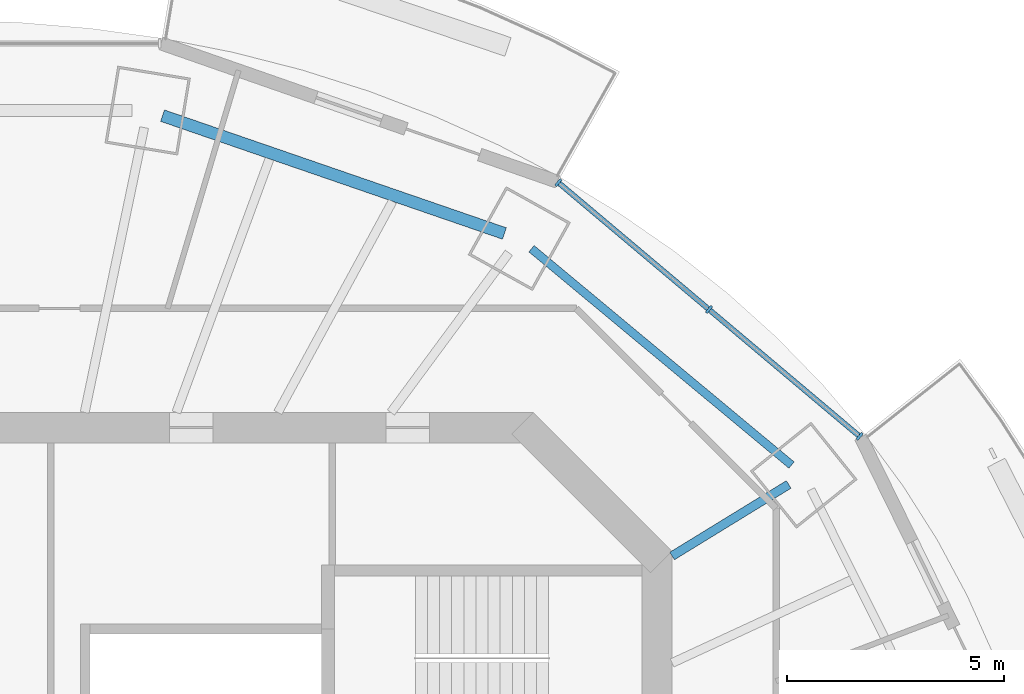
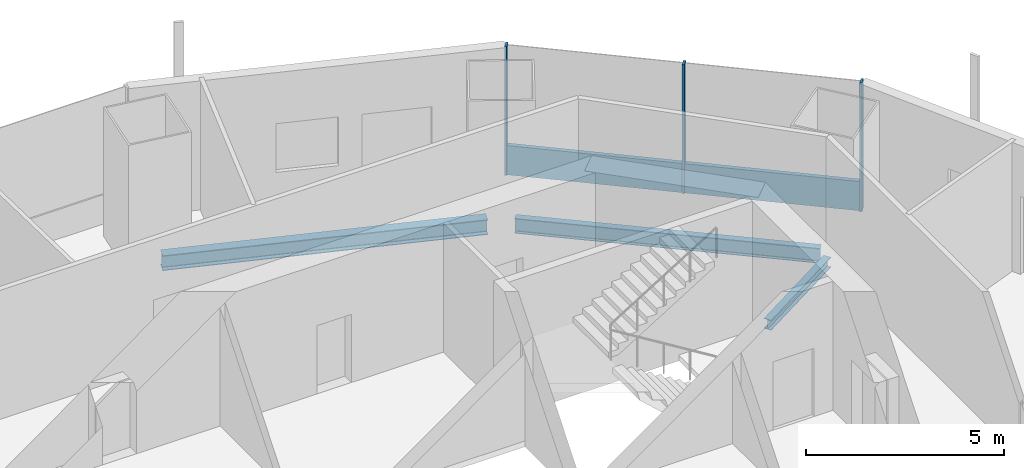
# One storey, part 6 of 15: 4 members, 3 beams, 1 element without a shape of its own.
"""IFC4 building model written with IfcOpenShell, lengths in metres."""

import ifcopenshell
import ifcopenshell.guid

model = None  # the IFC model being written
_history = None  # IfcOwnerHistory: only IFC2X3 demands one
_inside = {}  # id of a spatial element -> (the spatial element, [elements in it])
_under = {}  # id of a project, library or spatial element -> (it, [spatial elements below it])
_declared = {}  # id of a project -> (the project, [libraries it declares])
_typed = {}  # id of a type object -> (the type object, [elements of that type])
_made_of = {}  # id of a material, layer set ... -> (it, [elements and type objects made of it])


def new_model(schema):
    """Start an empty IFC model of exactly this schema.

    Asked for "IFC4X3", IfcOpenShell would pick the latest addendum, in which some entities
    have other attributes; the version numbers below select the first issue.
    IFC2X3 requires an IfcOwnerHistory on every rooted entity: one is made here for all.
    """
    global model, _history
    if schema == "IFC4X3":
        model = ifcopenshell.file(schema_version=(4, 3, 0, 0))
    else:
        model = ifcopenshell.file(schema=schema)
    _inside.clear()
    _under.clear()
    _declared.clear()
    _typed.clear()
    _made_of.clear()
    _history = None
    if model.schema == "IFC2X3":
        org = make("IfcOrganization", Name="unknown")
        user = make(
            "IfcPersonAndOrganization",
            ThePerson=make("IfcPerson", FamilyName="unknown"),
            TheOrganization=org,
        )
        app = make(
            "IfcApplication",
            ApplicationDeveloper=org,
            Version="unknown",
            ApplicationFullName="unknown",
            ApplicationIdentifier="unknown",
        )
        _history = make(
            "IfcOwnerHistory",
            OwningUser=user,
            OwningApplication=app,
            ChangeAction="ADDED",
            CreationDate=0,
        )
    return model


def make(cls, **values):
    """One entity of the class cls with the attributes given. An attribute that is None is left unset."""
    return model.create_entity(
        cls, **{name: value for name, value in values.items() if value is not None}
    )


def rooted(cls, **values):
    """An entity with a GlobalId (a new one), such as an element, a storey or a relation."""
    return make(cls, GlobalId=ifcopenshell.guid.new(), OwnerHistory=_history, **values)


def si_unit(unit_type, name, prefix=None):
    """IfcSIUnit, for example si_unit("LENGTHUNIT", "METRE", prefix="MILLI")."""
    return make("IfcSIUnit", UnitType=unit_type, Prefix=prefix, Name=name)


def assignment(units):
    """IfcUnitAssignment: the units of a project."""
    return None if units is None else make("IfcUnitAssignment", Units=units)


def point(xyz):
    """IfcCartesianPoint."""
    return None if xyz is None else make("IfcCartesianPoint", Coordinates=xyz)


def direction(xyz):
    """IfcDirection."""
    return None if xyz is None else make("IfcDirection", DirectionRatios=xyz)


def frame(location, z_axis=None, x_axis=None):
    """IfcAxis2Placement3D, a coordinate frame: its origin and axes. An axis left out is left unset."""
    return make(
        "IfcAxis2Placement3D",
        Location=point(location),
        Axis=direction(z_axis),
        RefDirection=direction(x_axis),
    )


def frame_2d(location, x_axis=None):
    """IfcAxis2Placement2D, a coordinate frame in the plane: its origin and x axis."""
    return make(
        "IfcAxis2Placement2D", Location=point(location), RefDirection=direction(x_axis)
    )


def origin():
    """The frame at (0, 0, 0) with its axes left unset."""
    return frame((0.0, 0.0, 0.0))


def origin_2d():
    """The frame at (0, 0) in the plane with its x axis left unset."""
    return frame_2d((0.0, 0.0))


def place(relative_to, where):
    """IfcLocalPlacement: puts the frame where relative to a parent placement (None: the world)."""
    return make(
        "IfcLocalPlacement", PlacementRelTo=relative_to, RelativePlacement=where
    )


def context(
    kind, dimensions, precision=None, world=None, true_north=None, identifier=None
):
    """IfcGeometricRepresentationContext, for example the 3D "Model" context."""
    return make(
        "IfcGeometricRepresentationContext",
        ContextIdentifier=identifier,
        ContextType=kind,
        CoordinateSpaceDimension=dimensions,
        Precision=precision,
        WorldCoordinateSystem=world,
        TrueNorth=true_north,
    )


def subcontext(parent, identifier, kind, view, scale=None):
    """IfcGeometricRepresentationSubContext, for example "Body" below "Model"."""
    return make(
        "IfcGeometricRepresentationSubContext",
        ContextIdentifier=identifier,
        ContextType=kind,
        ParentContext=parent,
        TargetScale=scale,
        TargetView=view,
    )


def project(units=None, contexts=None):
    """IfcProject with its units and contexts."""
    return rooted(
        "IfcProject",
        Name="project",
        RepresentationContexts=contexts,
        UnitsInContext=assignment(units),
    )


def spatial(cls, under=None, at=None, **own):
    """A site, building, storey or space (cls), placed at a placement, below another one or the project."""
    s = rooted(cls, ObjectPlacement=at, **own)
    if under is not None:
        _under.setdefault(under.id(), (under, []))[1].append(s)
    return s


def profile(cls, at=None, kind="AREA", **sizes):
    """A parametric profile (cls). Its sizes go by their IFC names, for example OverallWidth=200.0."""
    return make(cls, ProfileType=kind, Position=at, **sizes)


def rectangle(**sizes):
    """IfcRectangleProfileDef."""
    return profile("IfcRectangleProfileDef", **sizes)


def i_section(**sizes):
    """IfcIShapeProfileDef."""
    return profile("IfcIShapeProfileDef", **sizes)


def extrude(swept, where, along, depth):
    """IfcExtrudedAreaSolid: the profile swept, set in the frame where, extruded along a direction by depth."""
    return make(
        "IfcExtrudedAreaSolid",
        SweptArea=swept,
        Position=where,
        ExtrudedDirection=direction(along),
        Depth=depth,
    )


def shape(context_of_items, identifier, shape_type, items):
    """IfcShapeRepresentation: the items that make up one representation, for example the "Body"."""
    return make(
        "IfcShapeRepresentation",
        ContextOfItems=context_of_items,
        RepresentationIdentifier=identifier,
        RepresentationType=shape_type,
        Items=items,
    )


def material(Name=None, Category=None):
    """IfcMaterial."""
    return make("IfcMaterial", Name=Name, Category=Category)


def material_profile(
    of_material, cross_section, Name=None, Category=None, Priority=None
):
    """IfcMaterialProfile: a cross section and its material."""
    return make(
        "IfcMaterialProfile",
        Name=Name,
        Material=of_material,
        Profile=cross_section,
        Priority=Priority,
        Category=Category,
    )


def profile_set(profiles, Name=None, composite=None):
    """IfcMaterialProfileSet."""
    return make(
        "IfcMaterialProfileSet",
        Name=Name,
        MaterialProfiles=profiles,
        CompositeProfile=composite,
    )


def made_of(thing, what):
    """Note that an element or type object is made of a material, layer set ...; save() writes the relation."""
    if what is not None:
        _made_of.setdefault(what.id(), (what, []))[1].append(thing)
    return thing


def type_object(cls, material=None, **own):
    """A type object (cls), such as IfcWallType, which elements share."""
    return made_of(rooted(cls, **own), material)


def element(
    cls,
    number,
    at=None,
    inside=None,
    cuts=None,
    type_object=None,
    material=None,
    context=None,
    identifier="Body",
    shape_type=None,
    held_by="IfcProductDefinitionShape",
    body=None,
    shapes=None,
    **own,
):
    """One element of the class cls, such as IfcWall. Its Tag is "e" and its number.

    at: its placement. inside: the storey or other place that contains it. cuts: it is an
    opening in that element (IfcRelVoidsElement). A single representation is given by context,
    identifier, shape_type and body (its items); several are given by shapes. held_by: the class
    of the entity that holds the representations. save() writes the other relations.
    """
    e = rooted(cls, Tag="e%d" % number, ObjectPlacement=at, **own)
    if body is not None:
        shapes = [shape(context, identifier, shape_type, body)]
    if shapes is not None:
        e.Representation = make(held_by, Representations=shapes)
    if inside is not None:
        _inside.setdefault(inside.id(), (inside, []))[1].append(e)
    if cuts is not None:
        rooted(
            "IfcRelVoidsElement", RelatingBuildingElement=cuts, RelatedOpeningElement=e
        )
    if type_object is not None:
        _typed.setdefault(type_object.id(), (type_object, []))[1].append(e)
    return made_of(e, material)


def aggregate(whole, parts):
    """IfcRelAggregates: a whole, such as a stair, and the parts it consists of."""
    return rooted("IfcRelAggregates", RelatingObject=whole, RelatedObjects=parts)


def save(model, path):
    """Write the relations noted so far, then the file.

    IfcRelAggregates (storeys below a building ...), IfcRelContainedInSpatialStructure (elements
    in a storey), IfcRelDefinesByType, IfcRelAssociatesMaterial and IfcRelDeclares: one each for
    every whole, place, type object, material and project.
    """
    for whole, parts in _under.values():
        aggregate(whole, parts)
    for where, things in _inside.values():
        rooted(
            "IfcRelContainedInSpatialStructure",
            RelatedElements=things,
            RelatingStructure=where,
        )
    for kind, things in _typed.values():
        rooted("IfcRelDefinesByType", RelatedObjects=things, RelatingType=kind)
    for what, things in _made_of.values():
        rooted("IfcRelAssociatesMaterial", RelatedObjects=things, RelatingMaterial=what)
    for by, libraries in _declared.values():
        rooted("IfcRelDeclares", RelatingContext=by, RelatedDefinitions=libraries)
    model.write(path)


model = new_model("IFC4")

# Units and contexts
model_context = context("Model", 3, precision=1e-05, world=origin(), true_north=direction((0.0, 1.0)))
body_context = subcontext(model_context, "Body", "Model", "MODEL_VIEW")
ifc_project = project(units=[si_unit("LENGTHUNIT", "METRE"), si_unit("AREAUNIT", "SQUARE_METRE"), si_unit("VOLUMEUNIT", "CUBIC_METRE"), si_unit("PLANEANGLEUNIT", "RADIAN"), si_unit("MASSUNIT", "GRAM", prefix="KILO")], contexts=[model_context])

# Site, building, storey
site_placement = place(None, origin())
site = spatial("IfcSite", under=ifc_project, at=site_placement, CompositionType="ELEMENT")
building_placement = place(site_placement, origin())
building = spatial("IfcBuilding", under=site, at=building_placement, Name="Marenthal Gate Tower", CompositionType="ELEMENT")
storey_placement = place(building_placement, frame((0.0, 0.0, 384.10009765625)))
storey = spatial("IfcBuildingStorey", under=building, at=storey_placement, Name="L87", CompositionType="ELEMENT", Elevation=384.10009765625)

# Curtain wall, members
ifc_material_1 = material(Name="Aluminium and glass", Category="aluminium")
curtain_wall_type = type_object("IfcCurtainWallType", Name="Curtain wall typical high", PredefinedType="NOTDEFINED", material=ifc_material_1)
curtain_wall_placement = place(storey_placement, origin())
curtain_wall = element("IfcCurtainWall", 1, at=curtain_wall_placement, inside=storey, type_object=curtain_wall_type, Name="Curtain wall L87 bay 2", PredefinedType="NOTDEFINED")
ifc_material_2 = material(Name="Aluminium", Category="aluminium")
ifc_material_profile_1 = material_profile(ifc_material_2, rectangle(XDim=0.199951171875, YDim=0.06005859375, at=origin_2d()), Name="60x200 aluminium mullion")
ifc_profile_set_1 = profile_set([ifc_material_profile_1], Name="Aluminium")
member_type_1 = type_object("IfcMemberType", Name="Mullion 60x200 typical high", PredefinedType="MULLION", material=ifc_profile_set_1)
member_1_placement = place(storey_placement, frame((20.6796875, 12.79736328125, 0.0), z_axis=(0.0, 0.0, 1.0), x_axis=(-0.644265226944, -0.764802142616, 0.0)))
member_1 = element("IfcMember", 2, at=member_1_placement, type_object=member_type_1, Name="Mullion L87 bay 2.1", PredefinedType="MULLION", context=body_context, shape_type="SweptSolid", body=[
    extrude(rectangle(XDim=0.199951171875, YDim=0.06005859375, at=origin_2d()), origin(), (0.0, 0.0, 1.0), 3.969970703125),
])
member_2_placement = place(storey_placement, frame((17.201416015625, 15.7275390625, 0.0), z_axis=(0.0, 0.0, 1.0), x_axis=(-0.644265226944, -0.764802142616, 0.0)))
member_2 = element("IfcMember", 3, at=member_2_placement, type_object=member_type_1, Name="Mullion L87 bay 2.2", PredefinedType="MULLION", context=body_context, shape_type="SweptSolid", body=[
    extrude(rectangle(XDim=0.199951171875, YDim=0.06005859375, at=origin_2d()), origin(), (0.0, 0.0, 1.0), 3.969970703125),
])
member_3_placement = place(storey_placement, frame((13.723388671875, 18.657470703125, 0.0), z_axis=(0.0, 0.0, 1.0), x_axis=(-0.644265226944, -0.764802142616, 0.0)))
member_3 = element("IfcMember", 4, at=member_3_placement, type_object=member_type_1, Name="Mullion L87 bay 2.3", PredefinedType="MULLION", context=body_context, shape_type="SweptSolid", body=[
    extrude(rectangle(XDim=0.199951171875, YDim=0.06005859375, at=origin_2d()), origin(), (0.0, 0.0, 1.0), 3.969970703125),
])
ifc_material_3 = material(Name="Aluminium", Category="aluminium")
ifc_material_profile_2 = material_profile(ifc_material_3, rectangle(XDim=0.1201171875, YDim=0.89990234375, at=origin_2d()), Name="120x900 aluminium transom")
ifc_profile_set_2 = profile_set([ifc_material_profile_2], Name="Aluminium")
member_type_2 = type_object("IfcMemberType", Name="Transom 120x900 typical high", PredefinedType="USERDEFINED", material=ifc_profile_set_2)
member_4_placement = place(storey_placement, frame((20.65673828125, 12.816650390625, 0.449951171875), z_axis=(-0.764788567143, 0.644281341937, 0.0), x_axis=(-0.644281341937, -0.764788567143, 0.0)))
member_4 = element("IfcMember", 5, at=member_4_placement, type_object=member_type_2, Name="Transom L87 bay 2", ObjectType="TRANSOM", PredefinedType="USERDEFINED", context=body_context, shape_type="SweptSolid", body=[
    extrude(rectangle(XDim=0.1201171875, YDim=0.89990234375, at=origin_2d()), origin(), (0.0, 0.0, 1.0), 9.03564453125),
])
aggregate(curtain_wall, [member_1, member_2, member_3, member_4])

# Beams
ifc_material_4 = material(Name="Steel S355", Category="steel")
ifc_material_profile_3 = material_profile(ifc_material_4, i_section(OverallWidth=0.205078125, OverallDepth=0.31005859375, WebThickness=0.009521484375, FlangeThickness=0.016357421875, FilletRadius=0.0126953125, at=origin_2d()), Name="W310X74")
ifc_profile_set_3 = profile_set([ifc_material_profile_3], Name="Steel S355")
beam_type_1 = type_object("IfcBeamType", Name="W310X74 beam", PredefinedType="BEAM", material=ifc_profile_set_3)
beam_1_placement = place(storey_placement, frame((19.0419921875, 11.687255859375, -0.335205078125), z_axis=(-0.852286702613, -0.523074924413, 0.0), x_axis=(0.523074924413, -0.852286702613, 0.0)))
element("IfcBeam", 6, at=beam_1_placement, inside=storey, type_object=beam_type_1, Name="BM-L87-02", PredefinedType="BEAM", context=body_context, shape_type="SweptSolid", body=[
    extrude(i_section(OverallWidth=0.205078125, OverallDepth=0.31005859375, WebThickness=0.009521484375, FlangeThickness=0.016357421875, FilletRadius=0.0126953125, at=origin_2d()), origin(), (0.0, 0.0, 1.0), 3.158447265625),
])
ifc_material_5 = material(Name="Steel S355", Category="steel")
ifc_material_profile_4 = material_profile(ifc_material_5, i_section(OverallWidth=0.279052734375, OverallDepth=0.4619140625, WebThickness=0.0107421875, FlangeThickness=0.017333984375, FilletRadius=0.010009765625, at=origin_2d()), Name="W460X113")
ifc_profile_set_4 = profile_set([ifc_material_profile_4], Name="Steel S355")
beam_type_2 = type_object("IfcBeamType", Name="W460X113 beam", PredefinedType="BEAM", material=ifc_profile_set_4)
beam_2_placement = place(storey_placement, frame((12.47900390625, 17.4814453125, -0.4111328125), z_axis=(-0.945444742422, 0.325782502639, 0.0), x_axis=(-0.325782502639, -0.945444742422, 0.0)))
element("IfcBeam", 7, at=beam_2_placement, inside=storey, type_object=beam_type_2, Name="BM-L87-40", PredefinedType="BEAM", context=body_context, shape_type="SweptSolid", body=[
    extrude(i_section(OverallWidth=0.279052734375, OverallDepth=0.4619140625, WebThickness=0.0107421875, FlangeThickness=0.017333984375, FilletRadius=0.010009765625, at=origin_2d()), origin(), (0.0, 0.0, 1.0), 8.34912109375),
])
ifc_material_6 = material(Name="Steel S355", Category="steel")
ifc_material_profile_5 = material_profile(ifc_material_6, i_section(OverallWidth=0.19091796875, OverallDepth=0.45703125, WebThickness=0.009033203125, FlangeThickness=0.014404296875, FilletRadius=0.01025390625, at=origin_2d()), Name="W460X74")
ifc_profile_set_5 = profile_set([ifc_material_profile_5], Name="Steel S355")
beam_type_3 = type_object("IfcBeamType", Name="W460X74 beam", PredefinedType="BEAM", material=ifc_profile_set_5)
beam_3_placement = place(storey_placement, frame((19.106689453125, 12.13525390625, -0.40869140625), z_axis=(-0.768754019675, 0.63954457017, 0.0), x_axis=(-0.63954457017, -0.768754019675, 0.0)))
element("IfcBeam", 8, at=beam_3_placement, inside=storey, type_object=beam_type_3, Name="BM-L87-39", PredefinedType="BEAM", context=body_context, shape_type="SweptSolid", body=[
    extrude(i_section(OverallWidth=0.19091796875, OverallDepth=0.45703125, WebThickness=0.009033203125, FlangeThickness=0.014404296875, FilletRadius=0.01025390625, at=origin_2d()), origin(), (0.0, 0.0, 1.0), 7.809326171875),
])

save(model, "model.ifc")
